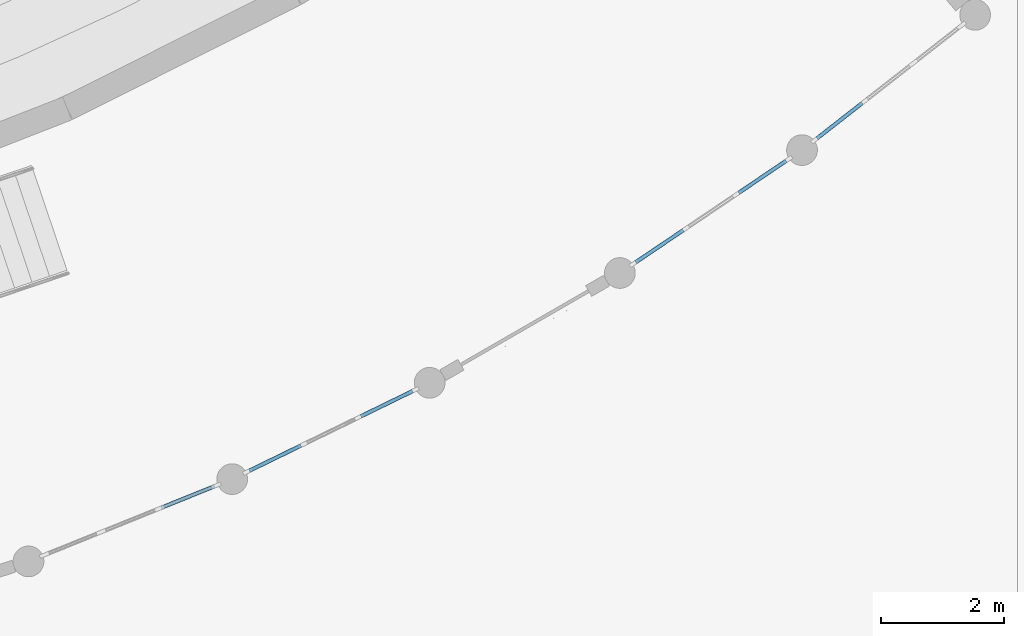
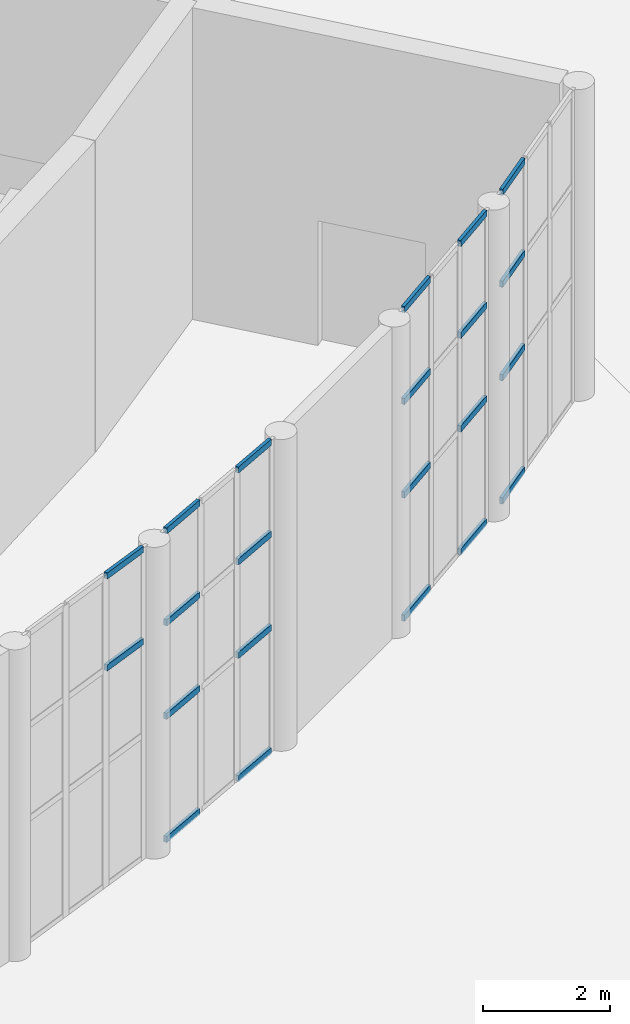
# One storey, part 76 of 210: 22 members, 4 elements without a shape of their own.
"""IFC4 building model written with IfcOpenShell, lengths in metres."""

from ifc_helpers import new_model, si_unit, direction, frame, origin, origin_2d, place, context, subcontext, project, spatial, rectangle, extrude, material, layer, layer_set, material_profile, profile_set, type_object, element, aggregate, save


model = new_model("IFC4")

# Units and contexts
model_context = context("Model", 3, precision=1e-05, world=origin(), true_north=direction((0.0, 1.0)))
body_context = subcontext(model_context, "Body", "Model", "MODEL_VIEW")
ifc_project = project(units=[si_unit("LENGTHUNIT", "METRE"), si_unit("AREAUNIT", "SQUARE_METRE"), si_unit("VOLUMEUNIT", "CUBIC_METRE"), si_unit("PLANEANGLEUNIT", "RADIAN"), si_unit("MASSUNIT", "GRAM", prefix="KILO")], contexts=[model_context])

# Site, building, storey
site_placement = place(None, origin())
site = spatial("IfcSite", under=ifc_project, at=site_placement, CompositionType="ELEMENT")
building_placement = place(site_placement, origin())
building = spatial("IfcBuilding", under=site, at=building_placement, Name="Rain Tree Exposition and Congress Centre", CompositionType="ELEMENT")
storey_placement = place(building_placement, origin())
storey = spatial("IfcBuildingStorey", under=building, at=storey_placement, Name="L00", CompositionType="ELEMENT", Elevation=0.0)

# Curtain wall, members
ifc_material_1 = material(Name="Aluminium", Category="aluminium")
ifc_layer = layer(ifc_material_1, 0.10009765625)
ifc_layer_set = layer_set([ifc_layer], Name="Aluminium")
curtain_wall_type = type_object("IfcCurtainWallType", Name="Curtain wall congress", PredefinedType="NOTDEFINED", material=ifc_layer_set)
curtain_wall_1_placement = place(storey_placement, origin())
curtain_wall_1 = element("IfcCurtainWall", 1, at=curtain_wall_1_placement, inside=storey, type_object=curtain_wall_type, Name="Curtain wall L00 bay 16", PredefinedType="NOTDEFINED")
ifc_material_2 = material(Name="Aluminium", Category="aluminium")
ifc_material_profile = material_profile(ifc_material_2, rectangle(XDim=0.06005859375, YDim=0.1201171875, at=origin_2d()), Name="AL 60x120")
ifc_profile_set = profile_set([ifc_material_profile], Name="Aluminium")
member_type = type_object("IfcMemberType", Name="Curtain wall transom 60x120 congress", PredefinedType="USERDEFINED", material=ifc_profile_set)
member_1_placement = place(storey_placement, frame((221.27099609375, 19.960205078125, 4.199951171875), z_axis=(0.927173788996, 0.374631505613, 0.0), x_axis=(-0.374631505613, 0.927173788996, 0.0)))
member_1 = element("IfcMember", 2, at=member_1_placement, type_object=member_type, Name="CWG116 transom 3.3", ObjectType="TRANSOM", PredefinedType="USERDEFINED", context=body_context, shape_type="SweptSolid", body=[
    extrude(rectangle(XDim=0.06005859375, YDim=0.1201171875, at=origin_2d()), origin(), (0.0, 0.0, 1.0), 0.9345703125),
])
member_2_placement = place(storey_placement, frame((221.27099609375, 19.960205078125, 5.969970703125), z_axis=(0.927173788996, 0.374631505613, 0.0), x_axis=(-0.374631505613, 0.927173788996, 0.0)))
member_2 = element("IfcMember", 3, at=member_2_placement, type_object=member_type, Name="CWG116 transom 3.4", ObjectType="TRANSOM", PredefinedType="USERDEFINED", context=body_context, shape_type="SweptSolid", body=[
    extrude(rectangle(XDim=0.06005859375, YDim=0.1201171875, at=origin_2d()), origin(), (0.0, 0.0, 1.0), 0.9345703125),
])
aggregate(curtain_wall_1, [member_1, member_2])

curtain_wall_2_placement = place(storey_placement, origin())
curtain_wall_2 = element("IfcCurtainWall", 4, at=curtain_wall_2_placement, inside=storey, type_object=curtain_wall_type, Name="Curtain wall L00 bay 17", PredefinedType="NOTDEFINED")
member_3_placement = place(storey_placement, frame((222.70361328125, 20.5625, 0.030029296875), z_axis=(0.89877346762, 0.438413336821, 0.0), x_axis=(-0.438413336821, 0.89877346762, 0.0)))
member_3 = element("IfcMember", 5, at=member_3_placement, type_object=member_type, Name="CWG117 transom 1.1", ObjectType="TRANSOM", PredefinedType="USERDEFINED", context=body_context, shape_type="SweptSolid", body=[
    extrude(rectangle(XDim=0.06005859375, YDim=0.1201171875, at=origin_2d()), origin(), (0.0, 0.0, 1.0), 0.934326171875),
])
member_4_placement = place(storey_placement, frame((222.70361328125, 20.5625, 2.39990234375), z_axis=(0.89877346762, 0.438413336821, 0.0), x_axis=(-0.438413336821, 0.89877346762, 0.0)))
member_4 = element("IfcMember", 6, at=member_4_placement, type_object=member_type, Name="CWG117 transom 1.2", ObjectType="TRANSOM", PredefinedType="USERDEFINED", context=body_context, shape_type="SweptSolid", body=[
    extrude(rectangle(XDim=0.06005859375, YDim=0.1201171875, at=origin_2d()), origin(), (0.0, 0.0, 1.0), 0.934326171875),
])
member_5_placement = place(storey_placement, frame((222.70361328125, 20.5625, 4.199951171875), z_axis=(0.89877346762, 0.438413336821, 0.0), x_axis=(-0.438413336821, 0.89877346762, 0.0)))
member_5 = element("IfcMember", 7, at=member_5_placement, type_object=member_type, Name="CWG117 transom 1.3", ObjectType="TRANSOM", PredefinedType="USERDEFINED", context=body_context, shape_type="SweptSolid", body=[
    extrude(rectangle(XDim=0.06005859375, YDim=0.1201171875, at=origin_2d()), origin(), (0.0, 0.0, 1.0), 0.934326171875),
])
member_6_placement = place(storey_placement, frame((222.70361328125, 20.5625, 5.969970703125), z_axis=(0.89877346762, 0.438413336821, 0.0), x_axis=(-0.438413336821, 0.89877346762, 0.0)))
member_6 = element("IfcMember", 8, at=member_6_placement, type_object=member_type, Name="CWG117 transom 1.4", ObjectType="TRANSOM", PredefinedType="USERDEFINED", context=body_context, shape_type="SweptSolid", body=[
    extrude(rectangle(XDim=0.06005859375, YDim=0.1201171875, at=origin_2d()), origin(), (0.0, 0.0, 1.0), 0.934326171875),
])
member_7_placement = place(storey_placement, frame((224.518310546875, 21.447509765625, 0.030029296875), z_axis=(0.89877346762, 0.438413336821, 0.0), x_axis=(-0.438413336821, 0.89877346762, 0.0)))
member_7 = element("IfcMember", 9, at=member_7_placement, type_object=member_type, Name="CWG117 transom 3.1", ObjectType="TRANSOM", PredefinedType="USERDEFINED", context=body_context, shape_type="SweptSolid", body=[
    extrude(rectangle(XDim=0.06005859375, YDim=0.1201171875, at=origin_2d()), origin(), (0.0, 0.0, 1.0), 0.934326171875),
])
member_8_placement = place(storey_placement, frame((224.518310546875, 21.447509765625, 2.39990234375), z_axis=(0.89877346762, 0.438413336821, 0.0), x_axis=(-0.438413336821, 0.89877346762, 0.0)))
member_8 = element("IfcMember", 10, at=member_8_placement, type_object=member_type, Name="CWG117 transom 3.2", ObjectType="TRANSOM", PredefinedType="USERDEFINED", context=body_context, shape_type="SweptSolid", body=[
    extrude(rectangle(XDim=0.06005859375, YDim=0.1201171875, at=origin_2d()), origin(), (0.0, 0.0, 1.0), 0.934326171875),
])
member_9_placement = place(storey_placement, frame((224.518310546875, 21.447509765625, 4.199951171875), z_axis=(0.89877346762, 0.438413336821, 0.0), x_axis=(-0.438413336821, 0.89877346762, 0.0)))
member_9 = element("IfcMember", 11, at=member_9_placement, type_object=member_type, Name="CWG117 transom 3.3", ObjectType="TRANSOM", PredefinedType="USERDEFINED", context=body_context, shape_type="SweptSolid", body=[
    extrude(rectangle(XDim=0.06005859375, YDim=0.1201171875, at=origin_2d()), origin(), (0.0, 0.0, 1.0), 0.934326171875),
])
member_10_placement = place(storey_placement, frame((224.518310546875, 21.447509765625, 5.969970703125), z_axis=(0.89877346762, 0.438413336821, 0.0), x_axis=(-0.438413336821, 0.89877346762, 0.0)))
member_10 = element("IfcMember", 12, at=member_10_placement, type_object=member_type, Name="CWG117 transom 3.4", ObjectType="TRANSOM", PredefinedType="USERDEFINED", context=body_context, shape_type="SweptSolid", body=[
    extrude(rectangle(XDim=0.06005859375, YDim=0.1201171875, at=origin_2d()), origin(), (0.0, 0.0, 1.0), 0.934326171875),
])
aggregate(curtain_wall_2, [member_3, member_4, member_5, member_6, member_7, member_8, member_9, member_10])

curtain_wall_3_placement = place(storey_placement, origin())
curtain_wall_3 = element("IfcCurtainWall", 13, at=curtain_wall_3_placement, inside=storey, type_object=curtain_wall_type, Name="Curtain wall L00 bay 19", PredefinedType="NOTDEFINED")
member_11_placement = place(storey_placement, frame((228.98876953125, 23.953369140625, 0.030029296875), z_axis=(0.829145343923, 0.559033092626, 0.0), x_axis=(-0.559033092626, 0.829145343923, 0.0)))
member_11 = element("IfcMember", 14, at=member_11_placement, type_object=member_type, Name="CWG119 transom 1.1", ObjectType="TRANSOM", PredefinedType="USERDEFINED", context=body_context, shape_type="SweptSolid", body=[
    extrude(rectangle(XDim=0.06005859375, YDim=0.1201171875, at=origin_2d()), origin(), (0.0, 0.0, 1.0), 0.9345703125),
])
member_12_placement = place(storey_placement, frame((228.98876953125, 23.953369140625, 2.39990234375), z_axis=(0.829145343923, 0.559033092626, 0.0), x_axis=(-0.559033092626, 0.829145343923, 0.0)))
member_12 = element("IfcMember", 15, at=member_12_placement, type_object=member_type, Name="CWG119 transom 1.2", ObjectType="TRANSOM", PredefinedType="USERDEFINED", context=body_context, shape_type="SweptSolid", body=[
    extrude(rectangle(XDim=0.06005859375, YDim=0.1201171875, at=origin_2d()), origin(), (0.0, 0.0, 1.0), 0.9345703125),
])
member_13_placement = place(storey_placement, frame((228.98876953125, 23.953369140625, 4.199951171875), z_axis=(0.829145343923, 0.559033092626, 0.0), x_axis=(-0.559033092626, 0.829145343923, 0.0)))
member_13 = element("IfcMember", 16, at=member_13_placement, type_object=member_type, Name="CWG119 transom 1.3", ObjectType="TRANSOM", PredefinedType="USERDEFINED", context=body_context, shape_type="SweptSolid", body=[
    extrude(rectangle(XDim=0.06005859375, YDim=0.1201171875, at=origin_2d()), origin(), (0.0, 0.0, 1.0), 0.9345703125),
])
member_14_placement = place(storey_placement, frame((228.98876953125, 23.953369140625, 5.969970703125), z_axis=(0.829145343923, 0.559033092626, 0.0), x_axis=(-0.559033092626, 0.829145343923, 0.0)))
member_14 = element("IfcMember", 17, at=member_14_placement, type_object=member_type, Name="CWG119 transom 1.4", ObjectType="TRANSOM", PredefinedType="USERDEFINED", context=body_context, shape_type="SweptSolid", body=[
    extrude(rectangle(XDim=0.06005859375, YDim=0.1201171875, at=origin_2d()), origin(), (0.0, 0.0, 1.0), 0.9345703125),
])
member_15_placement = place(storey_placement, frame((230.662841796875, 25.082275390625, 0.030029296875), z_axis=(0.828942550457, 0.559333753712, 0.0), x_axis=(-0.559333753712, 0.828942550457, 0.0)))
member_15 = element("IfcMember", 18, at=member_15_placement, type_object=member_type, Name="CWG119 transom 3.1", ObjectType="TRANSOM", PredefinedType="USERDEFINED", context=body_context, shape_type="SweptSolid", body=[
    extrude(rectangle(XDim=0.06005859375, YDim=0.1201171875, at=origin_2d()), origin(), (0.0, 0.0, 1.0), 0.9345703125),
])
member_16_placement = place(storey_placement, frame((230.662841796875, 25.082275390625, 2.39990234375), z_axis=(0.828942550457, 0.559333753712, 0.0), x_axis=(-0.559333753712, 0.828942550457, 0.0)))
member_16 = element("IfcMember", 19, at=member_16_placement, type_object=member_type, Name="CWG119 transom 3.2", ObjectType="TRANSOM", PredefinedType="USERDEFINED", context=body_context, shape_type="SweptSolid", body=[
    extrude(rectangle(XDim=0.06005859375, YDim=0.1201171875, at=origin_2d()), origin(), (0.0, 0.0, 1.0), 0.9345703125),
])
member_17_placement = place(storey_placement, frame((230.662841796875, 25.082275390625, 4.199951171875), z_axis=(0.828942550457, 0.559333753712, 0.0), x_axis=(-0.559333753712, 0.828942550457, 0.0)))
member_17 = element("IfcMember", 20, at=member_17_placement, type_object=member_type, Name="CWG119 transom 3.3", ObjectType="TRANSOM", PredefinedType="USERDEFINED", context=body_context, shape_type="SweptSolid", body=[
    extrude(rectangle(XDim=0.06005859375, YDim=0.1201171875, at=origin_2d()), origin(), (0.0, 0.0, 1.0), 0.9345703125),
])
member_18_placement = place(storey_placement, frame((230.662841796875, 25.082275390625, 5.969970703125), z_axis=(0.828942550457, 0.559333753712, 0.0), x_axis=(-0.559333753712, 0.828942550457, 0.0)))
member_18 = element("IfcMember", 21, at=member_18_placement, type_object=member_type, Name="CWG119 transom 3.4", ObjectType="TRANSOM", PredefinedType="USERDEFINED", context=body_context, shape_type="SweptSolid", body=[
    extrude(rectangle(XDim=0.06005859375, YDim=0.1201171875, at=origin_2d()), origin(), (0.0, 0.0, 1.0), 0.9345703125),
])
aggregate(curtain_wall_3, [member_11, member_12, member_13, member_14, member_15, member_16, member_17, member_18])

curtain_wall_4_placement = place(storey_placement, origin())
curtain_wall_4 = element("IfcCurtainWall", 22, at=curtain_wall_4_placement, inside=storey, type_object=curtain_wall_type, Name="Curtain wall L00 bay 20", PredefinedType="NOTDEFINED")
member_19_placement = place(storey_placement, frame((231.93896484375, 25.96923828125, 0.030029296875), z_axis=(0.78805606362, 0.615603476754, 0.0), x_axis=(-0.615603476754, 0.78805606362, 0.0)))
member_19 = element("IfcMember", 23, at=member_19_placement, type_object=member_type, Name="CWG120 transom 1.1", ObjectType="TRANSOM", PredefinedType="USERDEFINED", context=body_context, shape_type="SweptSolid", body=[
    extrude(rectangle(XDim=0.06005859375, YDim=0.1201171875, at=origin_2d()), origin(), (0.0, 0.0, 1.0), 0.934326171875),
])
member_20_placement = place(storey_placement, frame((231.93896484375, 25.96923828125, 2.39990234375), z_axis=(0.78805606362, 0.615603476754, 0.0), x_axis=(-0.615603476754, 0.78805606362, 0.0)))
member_20 = element("IfcMember", 24, at=member_20_placement, type_object=member_type, Name="CWG120 transom 1.2", ObjectType="TRANSOM", PredefinedType="USERDEFINED", context=body_context, shape_type="SweptSolid", body=[
    extrude(rectangle(XDim=0.06005859375, YDim=0.1201171875, at=origin_2d()), origin(), (0.0, 0.0, 1.0), 0.934326171875),
])
member_21_placement = place(storey_placement, frame((231.93896484375, 25.96923828125, 4.199951171875), z_axis=(0.78805606362, 0.615603476754, 0.0), x_axis=(-0.615603476754, 0.78805606362, 0.0)))
member_21 = element("IfcMember", 25, at=member_21_placement, type_object=member_type, Name="CWG120 transom 1.3", ObjectType="TRANSOM", PredefinedType="USERDEFINED", context=body_context, shape_type="SweptSolid", body=[
    extrude(rectangle(XDim=0.06005859375, YDim=0.1201171875, at=origin_2d()), origin(), (0.0, 0.0, 1.0), 0.934326171875),
])
member_22_placement = place(storey_placement, frame((231.93896484375, 25.96923828125, 5.969970703125), z_axis=(0.78805606362, 0.615603476754, 0.0), x_axis=(-0.615603476754, 0.78805606362, 0.0)))
member_22 = element("IfcMember", 26, at=member_22_placement, type_object=member_type, Name="CWG120 transom 1.4", ObjectType="TRANSOM", PredefinedType="USERDEFINED", context=body_context, shape_type="SweptSolid", body=[
    extrude(rectangle(XDim=0.06005859375, YDim=0.1201171875, at=origin_2d()), origin(), (0.0, 0.0, 1.0), 0.934326171875),
])
aggregate(curtain_wall_4, [member_19, member_20, member_21, member_22])

save(model, "model.ifc")
